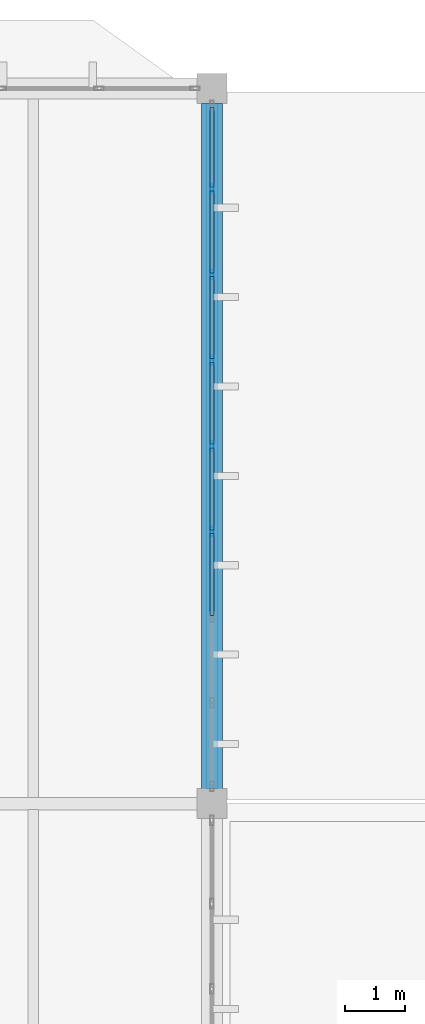
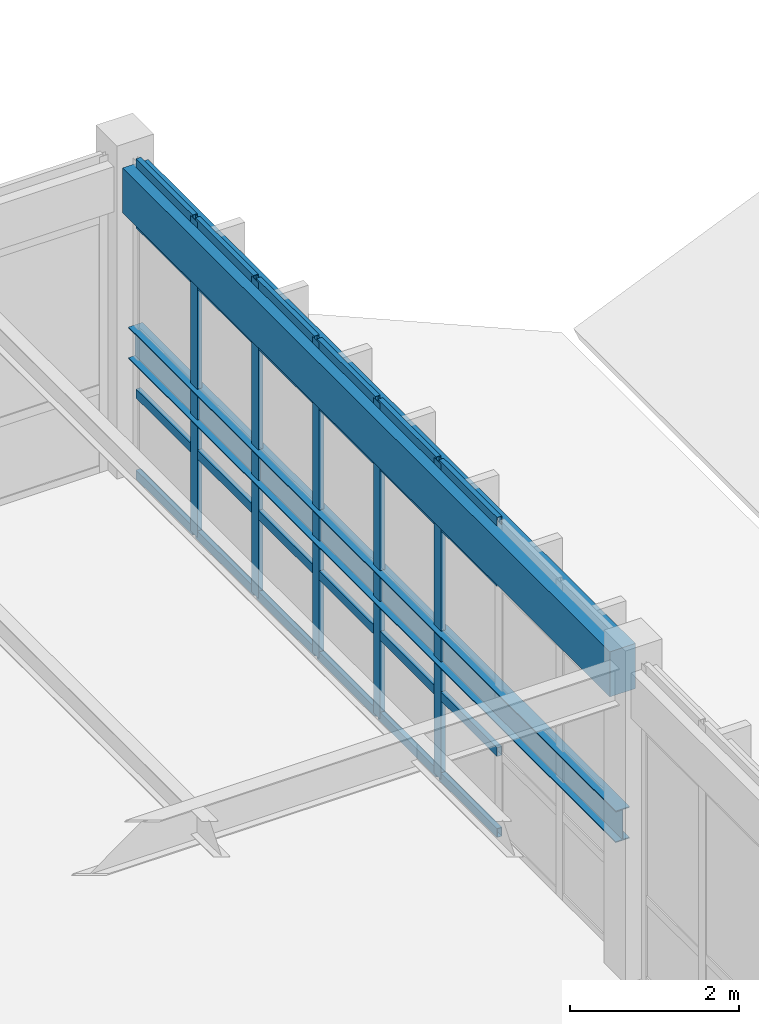
# One storey, part 180 of 236: 29 members, 2 beams, 1 element without a shape of its own.
"""IFC4 building model written with IfcOpenShell, lengths in metres."""

from ifc_helpers import new_model, si_unit, direction, frame, origin, origin_2d, place, context, subcontext, project, spatial, rectangle, hollow_rectangle, i_section, extrude, material, layer, layer_set, material_profile, profile_set, type_object, element, aggregate, save


model = new_model("IFC4")

# Units and contexts
model_context = context("Model", 3, precision=1e-05, world=origin(), true_north=direction((0.0, 1.0)))
body_context = subcontext(model_context, "Body", "Model", "MODEL_VIEW")
ifc_project = project(units=[si_unit("LENGTHUNIT", "METRE"), si_unit("AREAUNIT", "SQUARE_METRE"), si_unit("VOLUMEUNIT", "CUBIC_METRE"), si_unit("PLANEANGLEUNIT", "RADIAN"), si_unit("MASSUNIT", "GRAM", prefix="KILO")], contexts=[model_context])

# Site, building, storey
site_placement = place(None, origin())
site = spatial("IfcSite", under=ifc_project, at=site_placement, CompositionType="ELEMENT")
building_placement = place(site_placement, origin())
building = spatial("IfcBuilding", under=site, at=building_placement, Name="Pandanus Reach Market Hall", CompositionType="ELEMENT")
storey_placement = place(building_placement, frame((0.0, 0.0, 5.39990234375)))
storey = spatial("IfcBuildingStorey", under=building, at=storey_placement, Name="L01", CompositionType="ELEMENT", Elevation=5.39990234375)

# Beams
ifc_material_1 = material(Name="Concrete N40 (40 MPa)", Category="concrete")
ifc_material_profile_1 = material_profile(ifc_material_1, rectangle(XDim=0.35009765625, YDim=0.64990234375, at=origin_2d()), Name="RC350x650", Category="LoadBearing")
ifc_profile_set_1 = profile_set([ifc_material_profile_1], Name="Concrete N40 (40 MPa)")
beam_type_1 = type_object("IfcBeamType", Name="BM-RC350-E", PredefinedType="SPANDREL", material=ifc_profile_set_1)
beam_1_placement = place(storey_placement, frame((144.0, 108.248046875, 4.135009765625), z_axis=(0.0, 1.0, 0.0), x_axis=(-1.0, 0.0, 0.0)))
element("IfcBeam", 1, at=beam_1_placement, inside=storey, type_object=beam_type_1, Name="Framing beam BM-RC350-E L01.884", PredefinedType="SPANDREL", context=body_context, shape_type="SweptSolid", body=[
    extrude(rectangle(XDim=0.35009765625, YDim=0.64990234375, at=origin_2d()), origin(), (0.0, 0.0, 1.0), 11.50390625),
])
ifc_material_2 = material(Name="Steel Grade 350 (350 MPa)", Category="steel")
ifc_material_profile_2 = material_profile(ifc_material_2, i_section(OverallWidth=0.18994140625, OverallDepth=0.45703125, WebThickness=0.009033203125, FlangeThickness=0.014404296875, at=origin_2d()), Name="460UB74.6", Category="LoadBearing")
ifc_profile_set_2 = profile_set([ifc_material_profile_2], Name="Steel Grade 350 (350 MPa)")
beam_type_2 = type_object("IfcBeamType", Name="BM-UB460-E", PredefinedType="BEAM", material=ifc_profile_set_2)
beam_2_placement = place(storey_placement, frame((144.0, 108.24609375, 1.91015625), z_axis=(0.0, 1.0, 0.0), x_axis=(-1.0, 0.0, 0.0)))
element("IfcBeam", 2, at=beam_2_placement, inside=storey, type_object=beam_type_2, Name="Butterfly shell ridge tie beam L01.13", PredefinedType="BEAM", context=body_context, shape_type="SweptSolid", body=[
    extrude(i_section(OverallWidth=0.18994140625, OverallDepth=0.45703125, WebThickness=0.009033203125, FlangeThickness=0.014404296875, at=origin_2d()), origin(), (0.0, 0.0, 1.0), 11.5078125),
])

# Curtain wall, members
ifc_material_3 = material(Name="Bronze anodised aluminium and low-E glass", Category="aluminium")
ifc_layer = layer(ifc_material_3, 0.159912109375, Name="CW-38")
ifc_layer_set = layer_set([ifc_layer], Name="Bronze anodised aluminium and low-E glass")
curtain_wall_type = type_object("IfcCurtainWallType", Name="CW-38", PredefinedType="NOTDEFINED", material=ifc_layer_set)
curtain_wall_placement = place(storey_placement, origin())
curtain_wall = element("IfcCurtainWall", 3, at=curtain_wall_placement, inside=storey, type_object=curtain_wall_type, Name="Glazed curtain wall CW-38 CW-0152", PredefinedType="NOTDEFINED")
ifc_material_4 = material(Name="Bronze anodised aluminium", Category="aluminium")
ifc_material_profile_3 = material_profile(ifc_material_4, hollow_rectangle(XDim=0.06494140625, YDim=0.159912109375, WallThickness=0.00390625, at=origin_2d()), Name="ALU65x160", Category="LoadBearing")
ifc_profile_set_3 = profile_set([ifc_material_profile_3], Name="Bronze anodised aluminium")
member_type_1 = type_object("IfcMemberType", Name="CW-M1", PredefinedType="MULLION", material=ifc_profile_set_3)
member_1_placement = place(storey_placement, frame((144.0, 112.5625, 0.0), z_axis=(0.0, 0.0, 1.0), x_axis=(-1.0, 0.0, 0.0)))
member_1 = element("IfcMember", 4, at=member_1_placement, type_object=member_type_1, Name="CW-38 mullion 4", PredefinedType="MULLION", context=body_context, shape_type="SweptSolid", body=[
    extrude(hollow_rectangle(XDim=0.06494140625, YDim=0.159912109375, WallThickness=0.00390625, at=origin_2d()), origin(), (0.0, 0.0, 1.0), 4.550048828125),
])
member_2_placement = place(storey_placement, frame((144.0, 114.0, 0.0), z_axis=(0.0, 0.0, 1.0), x_axis=(-1.0, 0.0, 0.0)))
member_2 = element("IfcMember", 5, at=member_2_placement, type_object=member_type_1, Name="CW-38 mullion 5", PredefinedType="MULLION", context=body_context, shape_type="SweptSolid", body=[
    extrude(hollow_rectangle(XDim=0.06494140625, YDim=0.159912109375, WallThickness=0.00390625, at=origin_2d()), origin(), (0.0, 0.0, 1.0), 4.550048828125),
])
member_3_placement = place(storey_placement, frame((144.0, 115.4375, 0.0), z_axis=(0.0, 0.0, 1.0), x_axis=(-1.0, 0.0, 0.0)))
member_3 = element("IfcMember", 6, at=member_3_placement, type_object=member_type_1, Name="CW-38 mullion 6", PredefinedType="MULLION", context=body_context, shape_type="SweptSolid", body=[
    extrude(hollow_rectangle(XDim=0.06494140625, YDim=0.159912109375, WallThickness=0.00390625, at=origin_2d()), origin(), (0.0, 0.0, 1.0), 4.550048828125),
])
member_4_placement = place(storey_placement, frame((144.0, 116.875, 0.0), z_axis=(0.0, 0.0, 1.0), x_axis=(-1.0, 0.0, 0.0)))
member_4 = element("IfcMember", 7, at=member_4_placement, type_object=member_type_1, Name="CW-38 mullion 7", PredefinedType="MULLION", context=body_context, shape_type="SweptSolid", body=[
    extrude(hollow_rectangle(XDim=0.06494140625, YDim=0.159912109375, WallThickness=0.00390625, at=origin_2d()), origin(), (0.0, 0.0, 1.0), 4.550048828125),
])
member_5_placement = place(storey_placement, frame((144.0, 118.3125, 0.0), z_axis=(0.0, 0.0, 1.0), x_axis=(-1.0, 0.0, 0.0)))
member_5 = element("IfcMember", 8, at=member_5_placement, type_object=member_type_1, Name="CW-38 mullion 8", PredefinedType="MULLION", context=body_context, shape_type="SweptSolid", body=[
    extrude(hollow_rectangle(XDim=0.06494140625, YDim=0.159912109375, WallThickness=0.00390625, at=origin_2d()), origin(), (0.0, 0.0, 1.0), 4.550048828125),
])
ifc_material_profile_4 = material_profile(ifc_material_4, hollow_rectangle(XDim=0.06494140625, YDim=0.1298828125, WallThickness=0.00390625, at=origin_2d()), Name="ALU65x130", Category="LoadBearing")
ifc_profile_set_4 = profile_set([ifc_material_profile_4], Name="Bronze anodised aluminium")
member_type_2 = type_object("IfcMemberType", Name="CW-T1", PredefinedType="USERDEFINED", material=ifc_profile_set_4)
member_6_placement = place(storey_placement, frame((144.0, 111.157470703125, 0.03271484375), z_axis=(0.0, 1.0, 0.0), x_axis=(-1.0, 0.0, 0.0)))
member_6 = element("IfcMember", 9, at=member_6_placement, type_object=member_type_2, Name="CW-38 transom 3.1", ObjectType="TRANSOM", PredefinedType="USERDEFINED", context=body_context, shape_type="SweptSolid", body=[
    extrude(hollow_rectangle(XDim=0.06494140625, YDim=0.1298828125, WallThickness=0.00390625, at=origin_2d()), origin(), (0.0, 0.0, 1.0), 1.37255859375),
])
member_7_placement = place(storey_placement, frame((144.0, 111.157470703125, 1.2001953125), z_axis=(0.0, 1.0, 0.0), x_axis=(-1.0, 0.0, 0.0)))
member_7 = element("IfcMember", 10, at=member_7_placement, type_object=member_type_2, Name="CW-38 transom 3.2", ObjectType="TRANSOM", PredefinedType="USERDEFINED", context=body_context, shape_type="SweptSolid", body=[
    extrude(hollow_rectangle(XDim=0.06494140625, YDim=0.1298828125, WallThickness=0.00390625, at=origin_2d()), origin(), (0.0, 0.0, 1.0), 1.37255859375),
])
member_8_placement = place(storey_placement, frame((144.0, 111.157470703125, 3.650146484375), z_axis=(0.0, 1.0, 0.0), x_axis=(-1.0, 0.0, 0.0)))
member_8 = element("IfcMember", 11, at=member_8_placement, type_object=member_type_2, Name="CW-38 transom 3.3", ObjectType="TRANSOM", PredefinedType="USERDEFINED", context=body_context, shape_type="SweptSolid", body=[
    extrude(hollow_rectangle(XDim=0.06494140625, YDim=0.1298828125, WallThickness=0.00390625, at=origin_2d()), origin(), (0.0, 0.0, 1.0), 1.37255859375),
])
member_9_placement = place(storey_placement, frame((144.0, 111.157470703125, 4.517578125), z_axis=(0.0, 1.0, 0.0), x_axis=(-1.0, 0.0, 0.0)))
member_9 = element("IfcMember", 12, at=member_9_placement, type_object=member_type_2, Name="CW-38 transom 3.4", ObjectType="TRANSOM", PredefinedType="USERDEFINED", context=body_context, shape_type="SweptSolid", body=[
    extrude(hollow_rectangle(XDim=0.06494140625, YDim=0.1298828125, WallThickness=0.00390625, at=origin_2d()), origin(), (0.0, 0.0, 1.0), 1.37255859375),
])
member_10_placement = place(storey_placement, frame((144.0, 112.594970703125, 0.03271484375), z_axis=(0.0, 1.0, 0.0), x_axis=(-1.0, 0.0, 0.0)))
member_10 = element("IfcMember", 13, at=member_10_placement, type_object=member_type_2, Name="CW-38 transom 4.1", ObjectType="TRANSOM", PredefinedType="USERDEFINED", context=body_context, shape_type="SweptSolid", body=[
    extrude(hollow_rectangle(XDim=0.06494140625, YDim=0.1298828125, WallThickness=0.00390625, at=origin_2d()), origin(), (0.0, 0.0, 1.0), 1.37255859375),
])
member_11_placement = place(storey_placement, frame((144.0, 112.594970703125, 1.2001953125), z_axis=(0.0, 1.0, 0.0), x_axis=(-1.0, 0.0, 0.0)))
member_11 = element("IfcMember", 14, at=member_11_placement, type_object=member_type_2, Name="CW-38 transom 4.2", ObjectType="TRANSOM", PredefinedType="USERDEFINED", context=body_context, shape_type="SweptSolid", body=[
    extrude(hollow_rectangle(XDim=0.06494140625, YDim=0.1298828125, WallThickness=0.00390625, at=origin_2d()), origin(), (0.0, 0.0, 1.0), 1.37255859375),
])
member_12_placement = place(storey_placement, frame((144.0, 112.594970703125, 3.650146484375), z_axis=(0.0, 1.0, 0.0), x_axis=(-1.0, 0.0, 0.0)))
member_12 = element("IfcMember", 15, at=member_12_placement, type_object=member_type_2, Name="CW-38 transom 4.3", ObjectType="TRANSOM", PredefinedType="USERDEFINED", context=body_context, shape_type="SweptSolid", body=[
    extrude(hollow_rectangle(XDim=0.06494140625, YDim=0.1298828125, WallThickness=0.00390625, at=origin_2d()), origin(), (0.0, 0.0, 1.0), 1.37255859375),
])
member_13_placement = place(storey_placement, frame((144.0, 112.594970703125, 4.517578125), z_axis=(0.0, 1.0, 0.0), x_axis=(-1.0, 0.0, 0.0)))
member_13 = element("IfcMember", 16, at=member_13_placement, type_object=member_type_2, Name="CW-38 transom 4.4", ObjectType="TRANSOM", PredefinedType="USERDEFINED", context=body_context, shape_type="SweptSolid", body=[
    extrude(hollow_rectangle(XDim=0.06494140625, YDim=0.1298828125, WallThickness=0.00390625, at=origin_2d()), origin(), (0.0, 0.0, 1.0), 1.37255859375),
])
member_14_placement = place(storey_placement, frame((144.0, 114.032470703125, 0.03271484375), z_axis=(0.0, 1.0, 0.0), x_axis=(-1.0, 0.0, 0.0)))
member_14 = element("IfcMember", 17, at=member_14_placement, type_object=member_type_2, Name="CW-38 transom 5.1", ObjectType="TRANSOM", PredefinedType="USERDEFINED", context=body_context, shape_type="SweptSolid", body=[
    extrude(hollow_rectangle(XDim=0.06494140625, YDim=0.1298828125, WallThickness=0.00390625, at=origin_2d()), origin(), (0.0, 0.0, 1.0), 1.37255859375),
])
member_15_placement = place(storey_placement, frame((144.0, 114.032470703125, 1.2001953125), z_axis=(0.0, 1.0, 0.0), x_axis=(-1.0, 0.0, 0.0)))
member_15 = element("IfcMember", 18, at=member_15_placement, type_object=member_type_2, Name="CW-38 transom 5.2", ObjectType="TRANSOM", PredefinedType="USERDEFINED", context=body_context, shape_type="SweptSolid", body=[
    extrude(hollow_rectangle(XDim=0.06494140625, YDim=0.1298828125, WallThickness=0.00390625, at=origin_2d()), origin(), (0.0, 0.0, 1.0), 1.37255859375),
])
member_16_placement = place(storey_placement, frame((144.0, 114.032470703125, 3.650146484375), z_axis=(0.0, 1.0, 0.0), x_axis=(-1.0, 0.0, 0.0)))
member_16 = element("IfcMember", 19, at=member_16_placement, type_object=member_type_2, Name="CW-38 transom 5.3", ObjectType="TRANSOM", PredefinedType="USERDEFINED", context=body_context, shape_type="SweptSolid", body=[
    extrude(hollow_rectangle(XDim=0.06494140625, YDim=0.1298828125, WallThickness=0.00390625, at=origin_2d()), origin(), (0.0, 0.0, 1.0), 1.37255859375),
])
member_17_placement = place(storey_placement, frame((144.0, 114.032470703125, 4.517578125), z_axis=(0.0, 1.0, 0.0), x_axis=(-1.0, 0.0, 0.0)))
member_17 = element("IfcMember", 20, at=member_17_placement, type_object=member_type_2, Name="CW-38 transom 5.4", ObjectType="TRANSOM", PredefinedType="USERDEFINED", context=body_context, shape_type="SweptSolid", body=[
    extrude(hollow_rectangle(XDim=0.06494140625, YDim=0.1298828125, WallThickness=0.00390625, at=origin_2d()), origin(), (0.0, 0.0, 1.0), 1.37255859375),
])
member_18_placement = place(storey_placement, frame((144.0, 115.469970703125, 0.03271484375), z_axis=(0.0, 1.0, 0.0), x_axis=(-1.0, 0.0, 0.0)))
member_18 = element("IfcMember", 21, at=member_18_placement, type_object=member_type_2, Name="CW-38 transom 6.1", ObjectType="TRANSOM", PredefinedType="USERDEFINED", context=body_context, shape_type="SweptSolid", body=[
    extrude(hollow_rectangle(XDim=0.06494140625, YDim=0.1298828125, WallThickness=0.00390625, at=origin_2d()), origin(), (0.0, 0.0, 1.0), 1.37255859375),
])
member_19_placement = place(storey_placement, frame((144.0, 115.469970703125, 1.2001953125), z_axis=(0.0, 1.0, 0.0), x_axis=(-1.0, 0.0, 0.0)))
member_19 = element("IfcMember", 22, at=member_19_placement, type_object=member_type_2, Name="CW-38 transom 6.2", ObjectType="TRANSOM", PredefinedType="USERDEFINED", context=body_context, shape_type="SweptSolid", body=[
    extrude(hollow_rectangle(XDim=0.06494140625, YDim=0.1298828125, WallThickness=0.00390625, at=origin_2d()), origin(), (0.0, 0.0, 1.0), 1.37255859375),
])
member_20_placement = place(storey_placement, frame((144.0, 115.469970703125, 3.650146484375), z_axis=(0.0, 1.0, 0.0), x_axis=(-1.0, 0.0, 0.0)))
member_20 = element("IfcMember", 23, at=member_20_placement, type_object=member_type_2, Name="CW-38 transom 6.3", ObjectType="TRANSOM", PredefinedType="USERDEFINED", context=body_context, shape_type="SweptSolid", body=[
    extrude(hollow_rectangle(XDim=0.06494140625, YDim=0.1298828125, WallThickness=0.00390625, at=origin_2d()), origin(), (0.0, 0.0, 1.0), 1.37255859375),
])
member_21_placement = place(storey_placement, frame((144.0, 115.469970703125, 4.517578125), z_axis=(0.0, 1.0, 0.0), x_axis=(-1.0, 0.0, 0.0)))
member_21 = element("IfcMember", 24, at=member_21_placement, type_object=member_type_2, Name="CW-38 transom 6.4", ObjectType="TRANSOM", PredefinedType="USERDEFINED", context=body_context, shape_type="SweptSolid", body=[
    extrude(hollow_rectangle(XDim=0.06494140625, YDim=0.1298828125, WallThickness=0.00390625, at=origin_2d()), origin(), (0.0, 0.0, 1.0), 1.37255859375),
])
member_22_placement = place(storey_placement, frame((144.0, 116.907470703125, 0.03271484375), z_axis=(0.0, 1.0, 0.0), x_axis=(-1.0, 0.0, 0.0)))
member_22 = element("IfcMember", 25, at=member_22_placement, type_object=member_type_2, Name="CW-38 transom 7.1", ObjectType="TRANSOM", PredefinedType="USERDEFINED", context=body_context, shape_type="SweptSolid", body=[
    extrude(hollow_rectangle(XDim=0.06494140625, YDim=0.1298828125, WallThickness=0.00390625, at=origin_2d()), origin(), (0.0, 0.0, 1.0), 1.37255859375),
])
member_23_placement = place(storey_placement, frame((144.0, 116.907470703125, 1.2001953125), z_axis=(0.0, 1.0, 0.0), x_axis=(-1.0, 0.0, 0.0)))
member_23 = element("IfcMember", 26, at=member_23_placement, type_object=member_type_2, Name="CW-38 transom 7.2", ObjectType="TRANSOM", PredefinedType="USERDEFINED", context=body_context, shape_type="SweptSolid", body=[
    extrude(hollow_rectangle(XDim=0.06494140625, YDim=0.1298828125, WallThickness=0.00390625, at=origin_2d()), origin(), (0.0, 0.0, 1.0), 1.37255859375),
])
member_24_placement = place(storey_placement, frame((144.0, 116.907470703125, 3.650146484375), z_axis=(0.0, 1.0, 0.0), x_axis=(-1.0, 0.0, 0.0)))
member_24 = element("IfcMember", 27, at=member_24_placement, type_object=member_type_2, Name="CW-38 transom 7.3", ObjectType="TRANSOM", PredefinedType="USERDEFINED", context=body_context, shape_type="SweptSolid", body=[
    extrude(hollow_rectangle(XDim=0.06494140625, YDim=0.1298828125, WallThickness=0.00390625, at=origin_2d()), origin(), (0.0, 0.0, 1.0), 1.37255859375),
])
member_25_placement = place(storey_placement, frame((144.0, 116.907470703125, 4.517578125), z_axis=(0.0, 1.0, 0.0), x_axis=(-1.0, 0.0, 0.0)))
member_25 = element("IfcMember", 28, at=member_25_placement, type_object=member_type_2, Name="CW-38 transom 7.4", ObjectType="TRANSOM", PredefinedType="USERDEFINED", context=body_context, shape_type="SweptSolid", body=[
    extrude(hollow_rectangle(XDim=0.06494140625, YDim=0.1298828125, WallThickness=0.00390625, at=origin_2d()), origin(), (0.0, 0.0, 1.0), 1.37255859375),
])
member_26_placement = place(storey_placement, frame((144.0, 118.344970703125, 0.03271484375), z_axis=(0.0, 1.0, 0.0), x_axis=(-1.0, 0.0, 0.0)))
member_26 = element("IfcMember", 29, at=member_26_placement, type_object=member_type_2, Name="CW-38 transom 8.1", ObjectType="TRANSOM", PredefinedType="USERDEFINED", context=body_context, shape_type="SweptSolid", body=[
    extrude(hollow_rectangle(XDim=0.06494140625, YDim=0.1298828125, WallThickness=0.00390625, at=origin_2d()), origin(), (0.0, 0.0, 1.0), 1.340087890625),
])
member_27_placement = place(storey_placement, frame((144.0, 118.344970703125, 1.2001953125), z_axis=(0.0, 1.0, 0.0), x_axis=(-1.0, 0.0, 0.0)))
member_27 = element("IfcMember", 30, at=member_27_placement, type_object=member_type_2, Name="CW-38 transom 8.2", ObjectType="TRANSOM", PredefinedType="USERDEFINED", context=body_context, shape_type="SweptSolid", body=[
    extrude(hollow_rectangle(XDim=0.06494140625, YDim=0.1298828125, WallThickness=0.00390625, at=origin_2d()), origin(), (0.0, 0.0, 1.0), 1.340087890625),
])
member_28_placement = place(storey_placement, frame((144.0, 118.344970703125, 3.650146484375), z_axis=(0.0, 1.0, 0.0), x_axis=(-1.0, 0.0, 0.0)))
member_28 = element("IfcMember", 31, at=member_28_placement, type_object=member_type_2, Name="CW-38 transom 8.3", ObjectType="TRANSOM", PredefinedType="USERDEFINED", context=body_context, shape_type="SweptSolid", body=[
    extrude(hollow_rectangle(XDim=0.06494140625, YDim=0.1298828125, WallThickness=0.00390625, at=origin_2d()), origin(), (0.0, 0.0, 1.0), 1.340087890625),
])
member_29_placement = place(storey_placement, frame((144.0, 118.344970703125, 4.517578125), z_axis=(0.0, 1.0, 0.0), x_axis=(-1.0, 0.0, 0.0)))
member_29 = element("IfcMember", 32, at=member_29_placement, type_object=member_type_2, Name="CW-38 transom 8.4", ObjectType="TRANSOM", PredefinedType="USERDEFINED", context=body_context, shape_type="SweptSolid", body=[
    extrude(hollow_rectangle(XDim=0.06494140625, YDim=0.1298828125, WallThickness=0.00390625, at=origin_2d()), origin(), (0.0, 0.0, 1.0), 1.340087890625),
])
aggregate(curtain_wall, [member_1, member_2, member_3, member_4, member_5, member_6, member_7, member_8, member_9, member_10, member_11, member_12, member_13, member_14, member_15, member_16, member_17, member_18, member_19, member_20, member_21, member_22, member_23, member_24, member_25, member_26, member_27, member_28, member_29])

save(model, "model.ifc")
